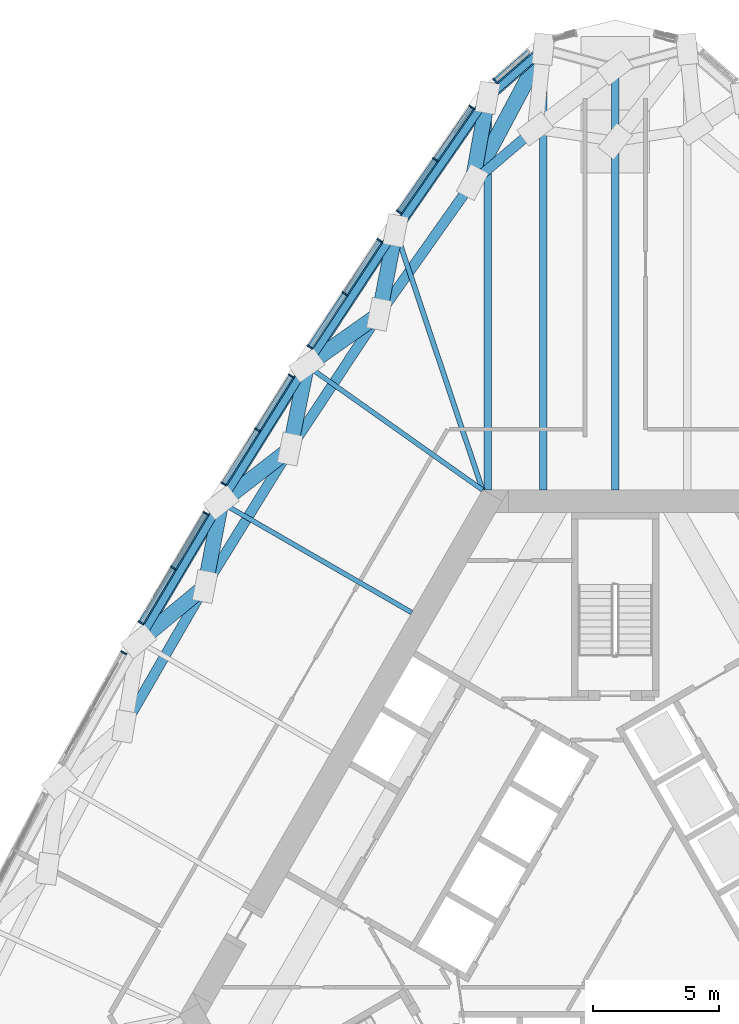
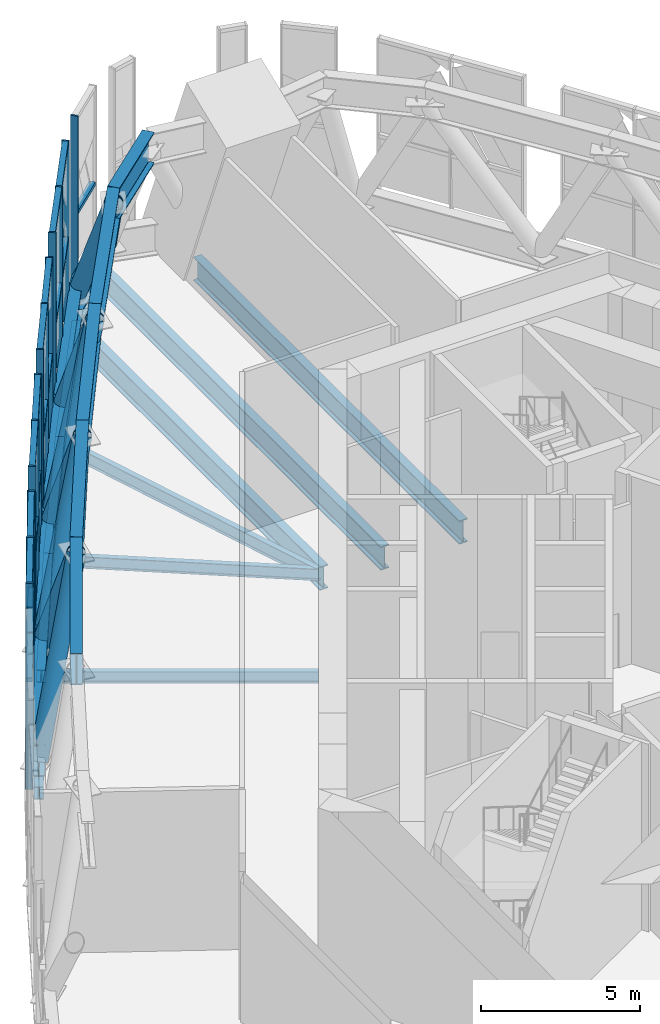
# One storey, part 8 of 33: 49 members, 11 beams, 2 elements without a shape of their own.
"""IFC4 building model written with IfcOpenShell, lengths in metres."""

from ifc_helpers import new_model, si_unit, direction, frame, origin, origin_2d, place, context, subcontext, project, spatial, rectangle, hollow_circle, i_section, extrude, material, material_profile, profile_set, type_object, element, aggregate, save


model = new_model("IFC4")

# Units and contexts
model_context = context("Model", 3, precision=1e-05, world=origin(), true_north=direction((0.0, 1.0)))
body_context = subcontext(model_context, "Body", "Model", "MODEL_VIEW")
ifc_project = project(units=[si_unit("LENGTHUNIT", "METRE"), si_unit("AREAUNIT", "SQUARE_METRE"), si_unit("VOLUMEUNIT", "CUBIC_METRE"), si_unit("PLANEANGLEUNIT", "RADIAN"), si_unit("MASSUNIT", "GRAM", prefix="KILO")], contexts=[model_context])

# Site, building, storey
site_placement = place(None, origin())
site = spatial("IfcSite", under=ifc_project, at=site_placement, CompositionType="ELEMENT")
building_placement = place(site_placement, origin())
building = spatial("IfcBuilding", under=site, at=building_placement, Name="Mestral Congress Tower", CompositionType="ELEMENT")
storey_placement = place(building_placement, frame((0.0, 0.0, 134.39990234375)))
storey = spatial("IfcBuildingStorey", under=building, at=storey_placement, Name="L32", CompositionType="ELEMENT", Elevation=134.39990234375)

# Members
ifc_material_1 = material(Name="Steel S355", Category="steel")
ifc_material_profile_1 = material_profile(ifc_material_1, i_section(OverallWidth=0.39990234375, OverallDepth=1.199951171875, WebThickness=0.02001953125, FlangeThickness=0.0400390625, FilletRadius=0.010009765625, at=origin_2d()), Name="WPG 1200")
ifc_profile_set_1 = profile_set([ifc_material_profile_1], Name="Steel S355")
member_type_1 = type_object("IfcMemberType", Name="Belt chord WPG 1200 S355", PredefinedType="CHORD", material=ifc_profile_set_1)
member_1_placement = place(storey_placement, frame((-2.845703125, 34.35693359375, 0.60009765625), z_axis=(-0.754932095534, -0.6558029667, 0.0), x_axis=(0.6558029667, -0.754932095534, 0.0)))
element("IfcMember", 1, at=member_1_placement, inside=storey, type_object=member_type_1, Name="MB-L32-BC2-N3", PredefinedType="CHORD", context=body_context, shape_type="SweptSolid", body=[
    extrude(i_section(OverallWidth=0.39990234375, OverallDepth=1.199951171875, WebThickness=0.02001953125, FlangeThickness=0.0400390625, FilletRadius=0.010009765625, at=origin_2d()), origin(), (0.0, 0.0, 1.0), 2.92822265625),
])
for number, where, z_axis, x_axis, name in (
    (2, (-5.056396484375, 32.4365234375, 0.60009765625), (-0.569132611813, -0.822245748041, 0.0), (0.822245748041, -0.569132611813, 0.0), "MB-L32-BC2-W00"),
    (3, (-8.69873046875, 27.17431640625, 0.60009765625), (-0.549751718, -0.835328108324, 0.0), (0.835328108324, -0.549751718, 0.0), "MB-L32-BC2-W01"),
    (4, (-12.217041015625, 21.828369140625, 0.60009765625), (-0.530067519081, -0.847955438225, 0.0), (0.847955438225, -0.530067519081, 0.0), "MB-L32-BC2-W02"),
    (5, (-15.609375, 16.401611328125, 0.60009765625), (-0.510062734342, -0.860137202448, 0.0), (0.860137202448, -0.510062734342, 0.0), "MB-L32-BC2-W03"),
):
    element("IfcMember", number, at=place(storey_placement, frame(where, z_axis=z_axis, x_axis=x_axis)), inside=storey, type_object=member_type_1, Name=name, PredefinedType="CHORD", context=body_context, shape_type="SweptSolid", body=[
        extrude(i_section(OverallWidth=0.39990234375, OverallDepth=1.199951171875, WebThickness=0.02001953125, FlangeThickness=0.0400390625, FilletRadius=0.010009765625, at=origin_2d()), origin(), (0.0, 0.0, 1.0), 6.39990234375),
    ])
member_2_placement = place(storey_placement, frame((-3.17138671875, 31.194580078125, 6.35009765625), z_axis=(-0.761440312553, -0.648235027147, 0.0), x_axis=(0.648235027147, -0.761440312553, 0.0)))
element("IfcMember", 6, at=member_2_placement, inside=storey, type_object=member_type_1, Name="MB-L32-TC2-N3", PredefinedType="CHORD", context=body_context, shape_type="SweptSolid", body=[
    extrude(i_section(OverallWidth=0.39990234375, OverallDepth=1.199951171875, WebThickness=0.02001953125, FlangeThickness=0.0400390625, FilletRadius=0.010009765625, at=origin_2d()), origin(), (0.0, 0.0, 1.0), 3.2607421875),
])
for number, where, z_axis, x_axis, name in (
    (7, (-5.654296875, 29.080810546875, 6.35009765625), (-0.577102484984, -0.816671734435, 0.0), (0.816671734435, -0.577102484984, 0.0), "MB-L32-TC2-W00"),
    (8, (-9.34765625, 23.854248046875, 6.35009765625), (-0.551915276836, -0.833900190188, 0.0), (0.833900190188, -0.551915276836, 0.0), "MB-L32-TC2-W01"),
):
    element("IfcMember", number, at=place(storey_placement, frame(where, z_axis=z_axis, x_axis=x_axis)), inside=storey, type_object=member_type_1, Name=name, PredefinedType="CHORD", context=body_context, shape_type="SweptSolid", body=[
        extrude(i_section(OverallWidth=0.39990234375, OverallDepth=1.199951171875, WebThickness=0.02001953125, FlangeThickness=0.0400390625, FilletRadius=0.010009765625, at=origin_2d()), origin(), (0.0, 0.0, 1.0), 6.39990234375),
    ])
for number, where, z_axis, x_axis, name in (
    (9, (-12.8798828125, 18.517333984375, 6.35009765625), (-0.52618387331, -0.850370819977, 0.0), (0.850370819977, -0.52618387331, 0.0), "MB-L32-TC2-W02"),
    (10, (-16.247314453125, 13.0751953125, 6.35009765625), (-0.500016352561, -0.866015962423, 0.0), (0.866015962423, -0.500016352561, 0.0), "MB-L32-TC2-W03"),
):
    element("IfcMember", number, at=place(storey_placement, frame(where, z_axis=z_axis, x_axis=x_axis)), inside=storey, type_object=member_type_1, Name=name, PredefinedType="CHORD", context=body_context, shape_type="SweptSolid", body=[
        extrude(i_section(OverallWidth=0.39990234375, OverallDepth=1.199951171875, WebThickness=0.02001953125, FlangeThickness=0.0400390625, FilletRadius=0.010009765625, at=origin_2d()), origin(), (0.0, 0.0, 1.0), 6.399658203125),
    ])
ifc_material_profile_2 = material_profile(ifc_material_1, hollow_circle(Radius=0.304931640625, WallThickness=0.02490234375, at=origin_2d()), Name="CHS 610x25")
ifc_profile_set_2 = profile_set([ifc_material_profile_2], Name="Steel S355")
member_type_2 = type_object("IfcMemberType", Name="Belt diagonal CHS 610x25 S355", PredefinedType="BRACE", material=ifc_profile_set_2)
member_3_placement = place(storey_placement, frame((-2.845703125, 34.35693359375, 0.60009765625), z_axis=(-0.338635151078, -0.636147796414, 0.69328364727), x_axis=(0.882723532152, -0.469892717314, 0.0)))
element("IfcMember", 11, at=member_3_placement, inside=storey, type_object=member_type_2, Name="MD-L32-BD2-N3.W00", PredefinedType="BRACE", context=body_context, shape_type="SweptSolid", body=[
    extrude(hollow_circle(Radius=0.304931640625, WallThickness=0.02490234375, at=origin_2d()), origin(), (0.0, 0.0, 1.0), 8.2939453125),
])
member_4_placement = place(storey_placement, frame((-5.056396484375, 32.4365234375, 0.60009765625), z_axis=(-0.0894475391, -0.502023856645, 0.860215778225), x_axis=(0.984495232552, -0.175411336815, 0.0)))
element("IfcMember", 12, at=member_4_placement, inside=storey, type_object=member_type_2, Name="MD-L32-BD2-W00.W00", PredefinedType="BRACE", context=body_context, shape_type="SweptSolid", body=[
    extrude(hollow_circle(Radius=0.304931640625, WallThickness=0.02490234375, at=origin_2d()), origin(), (0.0, 0.0, 1.0), 6.684326171875),
])
member_5_placement = place(storey_placement, frame((-8.69873046875, 27.17431640625, 0.60009765625), z_axis=(-0.097271028832, -0.497663175726, 0.861898898059), x_axis=(0.981429001079, -0.191825743427, 0.0)))
element("IfcMember", 13, at=member_5_placement, inside=storey, type_object=member_type_2, Name="MD-L32-BD2-W01.W01", PredefinedType="BRACE", context=body_context, shape_type="SweptSolid", body=[
    extrude(hollow_circle(Radius=0.304931640625, WallThickness=0.02490234375, at=origin_2d()), origin(), (0.0, 0.0, 1.0), 6.67138671875),
])
member_6_placement = place(storey_placement, frame((-12.217041015625, 21.828369140625, 0.60009765625), z_axis=(0.425853873776, 0.300666676133, 0.853374494611), x_axis=(-0.576765061499, 0.816910070836, 0.0)))
element("IfcMember", 14, at=member_6_placement, inside=storey, type_object=member_type_2, Name="MD-L32-BD2-W02.W01", PredefinedType="BRACE", context=body_context, shape_type="SweptSolid", body=[
    extrude(hollow_circle(Radius=0.304931640625, WallThickness=0.02490234375, at=origin_2d()), origin(), (0.0, 0.0, 1.0), 6.738037109375),
])
member_7_placement = place(storey_placement, frame((-12.217041015625, 21.828369140625, 0.60009765625), z_axis=(-0.099403494143, -0.496541505547, 0.862302428746), x_axis=(0.980544508593, -0.196296884002, 0.0)))
element("IfcMember", 15, at=member_7_placement, inside=storey, type_object=member_type_2, Name="MD-L32-BD2-W02.W02", PredefinedType="BRACE", context=body_context, shape_type="SweptSolid", body=[
    extrude(hollow_circle(Radius=0.304931640625, WallThickness=0.02490234375, at=origin_2d()), origin(), (0.0, 0.0, 1.0), 6.668212890625),
])
member_8_placement = place(storey_placement, frame((-15.609375, 16.401611328125, 0.60009765625), z_axis=(0.406938818864, 0.315432182851, 0.857265032369), x_axis=(-0.612637913431, 0.790363705535, 0.0)))
element("IfcMember", 16, at=member_8_placement, inside=storey, type_object=member_type_2, Name="MD-L32-BD2-W03.W02", PredefinedType="BRACE", context=body_context, shape_type="SweptSolid", body=[
    extrude(hollow_circle(Radius=0.304931640625, WallThickness=0.02490234375, at=origin_2d()), origin(), (0.0, 0.0, 1.0), 6.707275390625),
])
member_9_placement = place(storey_placement, frame((-15.609375, 16.401611328125, 0.60009765625), z_axis=(-0.095594107182, -0.498457600595, 0.86162740618), x_axis=(0.982102461883, -0.188347429938, 0.0)))
element("IfcMember", 17, at=member_9_placement, inside=storey, type_object=member_type_2, Name="MD-L32-BD2-W03.W03", PredefinedType="BRACE", context=body_context, shape_type="SweptSolid", body=[
    extrude(hollow_circle(Radius=0.304931640625, WallThickness=0.02490234375, at=origin_2d()), origin(), (0.0, 0.0, 1.0), 6.67333984375),
])
member_10_placement = place(storey_placement, frame((-18.873779296875, 10.896728515625, 0.60009765625), z_axis=(0.392813211233, 0.325810771875, 0.859968093601), x_axis=(-0.638409279387, 0.769697078072, 0.0)))
element("IfcMember", 18, at=member_10_placement, inside=storey, type_object=member_type_2, Name="MD-L32-BD2-W04.W03", PredefinedType="BRACE", context=body_context, shape_type="SweptSolid", body=[
    extrude(hollow_circle(Radius=0.304931640625, WallThickness=0.02490234375, at=origin_2d()), origin(), (0.0, 0.0, 1.0), 6.686279296875),
])

# Curtain wall, members
ifc_material_2 = material(Name="Clear low-emissivity double glazing", Category="glass")
curtain_wall_type = type_object("IfcCurtainWallType", Name="Facade sky lobby curtain wall", PredefinedType="USERDEFINED", material=ifc_material_2)
placement = place(storey_placement, origin())
curtain_wall_1 = element("IfcCurtainWall", 19, at=placement, inside=storey, type_object=curtain_wall_type, Name="Facade sky lobby curtain wall face 3", ObjectType="CURTAIN WALL", PredefinedType="USERDEFINED")
ifc_material_3 = material(Name="Anodised aluminium", Category="aluminium")
ifc_material_profile_3 = material_profile(ifc_material_3, rectangle(XDim=0.25, YDim=0.06005859375, at=origin_2d()), Name="CW1 mullion 250 x 60")
ifc_profile_set_3 = profile_set([ifc_material_profile_3], Name="Anodised aluminium")
member_type_3 = type_object("IfcMemberType", Name="Facade sky lobby curtain wall mullion", PredefinedType="MULLION", material=ifc_profile_set_3)
member_11_placement = place(storey_placement, frame((-5.686279296875, 32.053466796875, 0.0), z_axis=(0.0, 0.0, 1.0), x_axis=(-0.822242393198, 0.569137458641, 0.0)))
member_11 = element("IfcMember", 20, at=member_11_placement, type_object=member_type_3, Name="Facade sky lobby curtain wall mullion", PredefinedType="MULLION", context=body_context, shape_type="SweptSolid", body=[
    extrude(rectangle(XDim=0.25, YDim=0.06005859375, at=origin_2d()), origin(), (0.0, 0.0, 1.0), 6.9501953125),
])
member_12_placement = place(storey_placement, frame((-7.122314453125, 29.978759765625, 0.0), z_axis=(0.0, 0.0, 1.0), x_axis=(-0.822242393198, 0.569137458641, 0.0)))
member_12 = element("IfcMember", 21, at=member_12_placement, type_object=member_type_3, Name="Facade sky lobby curtain wall mullion", PredefinedType="MULLION", context=body_context, shape_type="SweptSolid", body=[
    extrude(rectangle(XDim=0.25, YDim=0.06005859375, at=origin_2d()), origin(), (0.0, 0.0, 1.0), 6.9501953125),
])
member_13_placement = place(storey_placement, frame((-8.55859375, 27.90380859375, 0.0), z_axis=(0.0, 0.0, 1.0), x_axis=(-0.822242393198, 0.569137458641, 0.0)))
member_13 = element("IfcMember", 22, at=member_13_placement, type_object=member_type_3, Name="Facade sky lobby curtain wall mullion", PredefinedType="MULLION", context=body_context, shape_type="SweptSolid", body=[
    extrude(rectangle(XDim=0.25, YDim=0.06005859375, at=origin_2d()), origin(), (0.0, 0.0, 1.0), 6.9501953125),
])
member_14_placement = place(storey_placement, frame((-9.322998046875, 26.771240234375, 0.0), z_axis=(0.0, 0.0, 1.0), x_axis=(-0.835326011384, 0.549754904213, 0.0)))
member_14 = element("IfcMember", 23, at=member_14_placement, type_object=member_type_3, Name="Facade sky lobby curtain wall mullion", PredefinedType="MULLION", context=body_context, shape_type="SweptSolid", body=[
    extrude(rectangle(XDim=0.25, YDim=0.06005859375, at=origin_2d()), origin(), (0.0, 0.0, 1.0), 6.9501953125),
])
member_15_placement = place(storey_placement, frame((-10.70849609375, 24.666259765625, 0.0), z_axis=(0.0, 0.0, 1.0), x_axis=(-0.835326011384, 0.549754904213, 0.0)))
member_15 = element("IfcMember", 24, at=member_15_placement, type_object=member_type_3, Name="Facade sky lobby curtain wall mullion", PredefinedType="MULLION", context=body_context, shape_type="SweptSolid", body=[
    extrude(rectangle(XDim=0.25, YDim=0.06005859375, at=origin_2d()), origin(), (0.0, 0.0, 1.0), 6.9501953125),
])
member_16_placement = place(storey_placement, frame((-12.093994140625, 22.56103515625, 0.0), z_axis=(0.0, 0.0, 1.0), x_axis=(-0.835326011384, 0.549754904213, 0.0)))
member_16 = element("IfcMember", 25, at=member_16_placement, type_object=member_type_3, Name="Facade sky lobby curtain wall mullion", PredefinedType="MULLION", context=body_context, shape_type="SweptSolid", body=[
    extrude(rectangle(XDim=0.25, YDim=0.06005859375, at=origin_2d()), origin(), (0.0, 0.0, 1.0), 6.9501953125),
])
member_17_placement = place(storey_placement, frame((-12.831787109375, 21.410888671875, 0.0), z_axis=(0.0, 0.0, 1.0), x_axis=(-0.847961145686, 0.530058388677, 0.0)))
member_17 = element("IfcMember", 26, at=member_17_placement, type_object=member_type_3, Name="Facade sky lobby curtain wall mullion", PredefinedType="MULLION", context=body_context, shape_type="SweptSolid", body=[
    extrude(rectangle(XDim=0.25, YDim=0.06005859375, at=origin_2d()), origin(), (0.0, 0.0, 1.0), 6.9501953125),
])
member_18_placement = place(storey_placement, frame((-14.16748046875, 19.27392578125, 0.0), z_axis=(0.0, 0.0, 1.0), x_axis=(-0.847961145686, 0.530058388677, 0.0)))
member_18 = element("IfcMember", 27, at=member_18_placement, type_object=member_type_3, Name="Facade sky lobby curtain wall mullion", PredefinedType="MULLION", context=body_context, shape_type="SweptSolid", body=[
    extrude(rectangle(XDim=0.25, YDim=0.06005859375, at=origin_2d()), origin(), (0.0, 0.0, 1.0), 6.9501953125),
])
member_19_placement = place(storey_placement, frame((-15.50341796875, 17.13671875, 0.0), z_axis=(0.0, 0.0, 1.0), x_axis=(-0.847961145686, 0.530058388677, 0.0)))
member_19 = element("IfcMember", 28, at=member_19_placement, type_object=member_type_3, Name="Facade sky lobby curtain wall mullion", PredefinedType="MULLION", context=body_context, shape_type="SweptSolid", body=[
    extrude(rectangle(XDim=0.25, YDim=0.06005859375, at=origin_2d()), origin(), (0.0, 0.0, 1.0), 6.9501953125),
])
member_20_placement = place(storey_placement, frame((-16.214111328125, 15.9697265625, 0.0), z_axis=(0.0, 0.0, 1.0), x_axis=(-0.860118583084, 0.510094131542, 0.0)))
member_20 = element("IfcMember", 29, at=member_20_placement, type_object=member_type_3, Name="Facade sky lobby curtain wall mullion", PredefinedType="MULLION", context=body_context, shape_type="SweptSolid", body=[
    extrude(rectangle(XDim=0.25, YDim=0.06005859375, at=origin_2d()), origin(), (0.0, 0.0, 1.0), 6.9501953125),
])
member_21_placement = place(storey_placement, frame((-17.49951171875, 13.802001953125, 0.0), z_axis=(0.0, 0.0, 1.0), x_axis=(-0.860118583084, 0.510094131542, 0.0)))
member_21 = element("IfcMember", 30, at=member_21_placement, type_object=member_type_3, Name="Facade sky lobby curtain wall mullion", PredefinedType="MULLION", context=body_context, shape_type="SweptSolid", body=[
    extrude(rectangle(XDim=0.25, YDim=0.06005859375, at=origin_2d()), origin(), (0.0, 0.0, 1.0), 6.9501953125),
])
member_22_placement = place(storey_placement, frame((-18.78515625, 11.634521484375, 0.0), z_axis=(0.0, 0.0, 1.0), x_axis=(-0.860118583084, 0.510094131542, 0.0)))
member_22 = element("IfcMember", 31, at=member_22_placement, type_object=member_type_3, Name="Facade sky lobby curtain wall mullion", PredefinedType="MULLION", context=body_context, shape_type="SweptSolid", body=[
    extrude(rectangle(XDim=0.25, YDim=0.06005859375, at=origin_2d()), origin(), (0.0, 0.0, 1.0), 6.9501953125),
])
member_23_placement = place(storey_placement, frame((-19.468505859375, 10.451171875, 0.0), z_axis=(0.0, 0.0, 1.0), x_axis=(-0.871814622705, 0.489835955844, 0.0)))
member_23 = element("IfcMember", 32, at=member_23_placement, type_object=member_type_3, Name="Facade sky lobby curtain wall mullion", PredefinedType="MULLION", context=body_context, shape_type="SweptSolid", body=[
    extrude(rectangle(XDim=0.25, YDim=0.06005859375, at=origin_2d()), origin(), (0.0, 0.0, 1.0), 6.9501953125),
])

# Curtain wall, member
curtain_wall_2 = element("IfcCurtainWall", 33, at=placement, inside=storey, type_object=curtain_wall_type, Name="Facade sky lobby curtain wall corner 2", ObjectType="CURTAIN WALL", PredefinedType="USERDEFINED")
member_24_placement = place(storey_placement, frame((-4.752197265625, 33.097900390625, 0.0), z_axis=(0.0, 0.0, 1.0), x_axis=(-0.655810039344, 0.754925951532, 0.0)))
member_24 = element("IfcMember", 34, at=member_24_placement, type_object=member_type_3, Name="Facade sky lobby curtain wall mullion", PredefinedType="MULLION", context=body_context, shape_type="SweptSolid", body=[
    extrude(rectangle(XDim=0.25, YDim=0.06005859375, at=origin_2d()), origin(), (0.0, 0.0, 1.0), 6.9501953125),
])

# Member
ifc_material_profile_4 = material_profile(ifc_material_3, rectangle(XDim=0.199951171875, YDim=0.139892578125, at=origin_2d()), Name="CW1 transom 200 x 140")
ifc_profile_set_4 = profile_set([ifc_material_profile_4], Name="Anodised aluminium")
member_type_4 = type_object("IfcMemberType", Name="Facade sky lobby curtain wall transom", PredefinedType="USERDEFINED", material=ifc_profile_set_4)
member_25_placement = place(storey_placement, frame((-5.703369140625, 32.02880859375, 3.2001953125), z_axis=(-0.56911720375, -0.822256412803, 0.0), x_axis=(0.822256412803, -0.56911720375, 0.0)))
member_25 = element("IfcMember", 35, at=member_25_placement, type_object=member_type_4, Name="Facade sky lobby curtain wall transom", ObjectType="TRANSOM", PredefinedType="USERDEFINED", context=body_context, shape_type="SweptSolid", body=[
    extrude(rectangle(XDim=0.199951171875, YDim=0.139892578125, at=origin_2d()), origin(), (0.0, 0.0, 1.0), 2.463134765625),
])

member_26_placement = place(storey_placement, frame((-5.703369140625, 32.02880859375, 6.880126953125), z_axis=(-0.56911720375, -0.822256412803, 0.0), x_axis=(0.822256412803, -0.56911720375, 0.0)))
member_26 = element("IfcMember", 36, at=member_26_placement, type_object=member_type_4, Name="Facade sky lobby curtain wall transom", ObjectType="TRANSOM", PredefinedType="USERDEFINED", context=body_context, shape_type="SweptSolid", body=[
    extrude(rectangle(XDim=0.199951171875, YDim=0.139892578125, at=origin_2d()), origin(), (0.0, 0.0, 1.0), 2.463134765625),
])

member_27_placement = place(storey_placement, frame((-7.139404296875, 29.9541015625, 3.2001953125), z_axis=(-0.569137831011, -0.822242135452, 0.0), x_axis=(0.822242135452, -0.569137831011, 0.0)))
member_27 = element("IfcMember", 37, at=member_27_placement, type_object=member_type_4, Name="Facade sky lobby curtain wall transom", ObjectType="TRANSOM", PredefinedType="USERDEFINED", context=body_context, shape_type="SweptSolid", body=[
    extrude(rectangle(XDim=0.199951171875, YDim=0.139892578125, at=origin_2d()), origin(), (0.0, 0.0, 1.0), 2.463623046875),
])

member_28_placement = place(storey_placement, frame((-7.139404296875, 29.9541015625, 6.880126953125), z_axis=(-0.569137831011, -0.822242135452, 0.0), x_axis=(0.822242135452, -0.569137831011, 0.0)))
member_28 = element("IfcMember", 38, at=member_28_placement, type_object=member_type_4, Name="Facade sky lobby curtain wall transom", ObjectType="TRANSOM", PredefinedType="USERDEFINED", context=body_context, shape_type="SweptSolid", body=[
    extrude(rectangle(XDim=0.199951171875, YDim=0.139892578125, at=origin_2d()), origin(), (0.0, 0.0, 1.0), 2.463623046875),
])

member_29_placement = place(storey_placement, frame((-9.339599609375, 26.746337890625, 3.2001953125), z_axis=(-0.549674824172, -0.835378709132, 0.0), x_axis=(0.835378709132, -0.549674824172, 0.0)))
member_29 = element("IfcMember", 39, at=member_29_placement, type_object=member_type_4, Name="Facade sky lobby curtain wall transom", ObjectType="TRANSOM", PredefinedType="USERDEFINED", context=body_context, shape_type="SweptSolid", body=[
    extrude(rectangle(XDim=0.199951171875, YDim=0.139892578125, at=origin_2d()), origin(), (0.0, 0.0, 1.0), 2.460205078125),
])

member_30_placement = place(storey_placement, frame((-9.339599609375, 26.746337890625, 6.880126953125), z_axis=(-0.549674824172, -0.835378709132, 0.0), x_axis=(0.835378709132, -0.549674824172, 0.0)))
member_30 = element("IfcMember", 40, at=member_30_placement, type_object=member_type_4, Name="Facade sky lobby curtain wall transom", ObjectType="TRANSOM", PredefinedType="USERDEFINED", context=body_context, shape_type="SweptSolid", body=[
    extrude(rectangle(XDim=0.199951171875, YDim=0.139892578125, at=origin_2d()), origin(), (0.0, 0.0, 1.0), 2.460205078125),
])

member_31_placement = place(storey_placement, frame((-10.724853515625, 24.64111328125, 3.2001953125), z_axis=(-0.549789644059, -0.835303146939, 0.0), x_axis=(0.835303146939, -0.549789644059, 0.0)))
member_31 = element("IfcMember", 41, at=member_31_placement, type_object=member_type_4, Name="Facade sky lobby curtain wall transom", ObjectType="TRANSOM", PredefinedType="USERDEFINED", context=body_context, shape_type="SweptSolid", body=[
    extrude(rectangle(XDim=0.199951171875, YDim=0.139892578125, at=origin_2d()), origin(), (0.0, 0.0, 1.0), 2.460205078125),
])

member_32_placement = place(storey_placement, frame((-10.724853515625, 24.64111328125, 6.880126953125), z_axis=(-0.549789644059, -0.835303146939, 0.0), x_axis=(0.835303146939, -0.549789644059, 0.0)))
member_32 = element("IfcMember", 42, at=member_32_placement, type_object=member_type_4, Name="Facade sky lobby curtain wall transom", ObjectType="TRANSOM", PredefinedType="USERDEFINED", context=body_context, shape_type="SweptSolid", body=[
    extrude(rectangle(XDim=0.199951171875, YDim=0.139892578125, at=origin_2d()), origin(), (0.0, 0.0, 1.0), 2.460205078125),
])

member_33_placement = place(storey_placement, frame((-12.84765625, 21.385498046875, 3.2001953125), z_axis=(-0.530025700323, -0.847981578218, 0.0), x_axis=(0.847981578218, -0.530025700323, 0.0)))
member_33 = element("IfcMember", 43, at=member_33_placement, type_object=member_type_4, Name="Facade sky lobby curtain wall transom", ObjectType="TRANSOM", PredefinedType="USERDEFINED", context=body_context, shape_type="SweptSolid", body=[
    extrude(rectangle(XDim=0.199951171875, YDim=0.139892578125, at=origin_2d()), origin(), (0.0, 0.0, 1.0), 2.460205078125),
])

member_34_placement = place(storey_placement, frame((-12.84765625, 21.385498046875, 6.880126953125), z_axis=(-0.530025700323, -0.847981578218, 0.0), x_axis=(0.847981578218, -0.530025700323, 0.0)))
member_34 = element("IfcMember", 44, at=member_34_placement, type_object=member_type_4, Name="Facade sky lobby curtain wall transom", ObjectType="TRANSOM", PredefinedType="USERDEFINED", context=body_context, shape_type="SweptSolid", body=[
    extrude(rectangle(XDim=0.199951171875, YDim=0.139892578125, at=origin_2d()), origin(), (0.0, 0.0, 1.0), 2.460205078125),
])

member_35_placement = place(storey_placement, frame((-14.18359375, 19.24853515625, 3.2001953125), z_axis=(-0.530025700323, -0.847981578218, 0.0), x_axis=(0.847981578218, -0.530025700323, 0.0)))
member_35 = element("IfcMember", 45, at=member_35_placement, type_object=member_type_4, Name="Facade sky lobby curtain wall transom", ObjectType="TRANSOM", PredefinedType="USERDEFINED", context=body_context, shape_type="SweptSolid", body=[
    extrude(rectangle(XDim=0.199951171875, YDim=0.139892578125, at=origin_2d()), origin(), (0.0, 0.0, 1.0), 2.460205078125),
])

member_36_placement = place(storey_placement, frame((-14.18359375, 19.24853515625, 6.880126953125), z_axis=(-0.530025700323, -0.847981578218, 0.0), x_axis=(0.847981578218, -0.530025700323, 0.0)))
member_36 = element("IfcMember", 46, at=member_36_placement, type_object=member_type_4, Name="Facade sky lobby curtain wall transom", ObjectType="TRANSOM", PredefinedType="USERDEFINED", context=body_context, shape_type="SweptSolid", body=[
    extrude(rectangle(XDim=0.199951171875, YDim=0.139892578125, at=origin_2d()), origin(), (0.0, 0.0, 1.0), 2.460205078125),
])

member_37_placement = place(storey_placement, frame((-16.2294921875, 15.944091796875, 3.2001953125), z_axis=(-0.510052614777, -0.860143203286, 0.0), x_axis=(0.860143203286, -0.510052614777, 0.0)))
member_37 = element("IfcMember", 47, at=member_37_placement, type_object=member_type_4, Name="Facade sky lobby curtain wall transom", ObjectType="TRANSOM", PredefinedType="USERDEFINED", context=body_context, shape_type="SweptSolid", body=[
    extrude(rectangle(XDim=0.199951171875, YDim=0.139892578125, at=origin_2d()), origin(), (0.0, 0.0, 1.0), 2.460205078125),
])

member_38_placement = place(storey_placement, frame((-16.2294921875, 15.944091796875, 6.880126953125), z_axis=(-0.510052614777, -0.860143203286, 0.0), x_axis=(0.860143203286, -0.510052614777, 0.0)))
member_38 = element("IfcMember", 48, at=member_38_placement, type_object=member_type_4, Name="Facade sky lobby curtain wall transom", ObjectType="TRANSOM", PredefinedType="USERDEFINED", context=body_context, shape_type="SweptSolid", body=[
    extrude(rectangle(XDim=0.199951171875, YDim=0.139892578125, at=origin_2d()), origin(), (0.0, 0.0, 1.0), 2.460205078125),
])

member_39_placement = place(storey_placement, frame((-17.514892578125, 13.7763671875, 3.2001953125), z_axis=(-0.510169565479, -0.860073842445, 0.0), x_axis=(0.860073842445, -0.510169565479, 0.0)))
member_39 = element("IfcMember", 49, at=member_39_placement, type_object=member_type_4, Name="Facade sky lobby curtain wall transom", ObjectType="TRANSOM", PredefinedType="USERDEFINED", context=body_context, shape_type="SweptSolid", body=[
    extrude(rectangle(XDim=0.199951171875, YDim=0.139892578125, at=origin_2d()), origin(), (0.0, 0.0, 1.0), 2.460205078125),
])

member_40_placement = place(storey_placement, frame((-17.514892578125, 13.7763671875, 6.880126953125), z_axis=(-0.510169565479, -0.860073842445, 0.0), x_axis=(0.860073842445, -0.510169565479, 0.0)))
member_40 = element("IfcMember", 50, at=member_40_placement, type_object=member_type_4, Name="Facade sky lobby curtain wall transom", ObjectType="TRANSOM", PredefinedType="USERDEFINED", context=body_context, shape_type="SweptSolid", body=[
    extrude(rectangle(XDim=0.199951171875, YDim=0.139892578125, at=origin_2d()), origin(), (0.0, 0.0, 1.0), 2.460205078125),
])

aggregate(curtain_wall_1, [member_11, member_12, member_13, member_25, member_26, member_27, member_28, member_14, member_15, member_16, member_29, member_30, member_31, member_32, member_17, member_18, member_19, member_33, member_34, member_35, member_36, member_20, member_21, member_22, member_37, member_38, member_39, member_40, member_23])

member_41_placement = place(storey_placement, frame((-3.44677734375, 34.232177734375, 3.2001953125), z_axis=(-0.754868375989, -0.655876310695, 0.0), x_axis=(0.655876310695, -0.754868375989, 0.0)))
member_41 = element("IfcMember", 51, at=member_41_placement, type_object=member_type_4, Name="Facade sky lobby curtain wall transom", ObjectType="TRANSOM", PredefinedType="USERDEFINED", context=body_context, shape_type="SweptSolid", body=[
    extrude(rectangle(XDim=0.199951171875, YDim=0.139892578125, at=origin_2d()), origin(), (0.0, 0.0, 1.0), 1.69921875),
])

aggregate(curtain_wall_2, [member_24, member_41])

# Beams
ifc_material_profile_5 = material_profile(ifc_material_1, i_section(OverallWidth=0.300048828125, OverallDepth=0.89990234375, WebThickness=0.0185546875, FlangeThickness=0.034912109375, FilletRadius=0.030029296875, at=origin_2d()), Name="HEB 900")
ifc_profile_set_5 = profile_set([ifc_material_profile_5], Name="Steel S355")
beam_type_1 = type_object("IfcBeamType", Name="Floor beam HEB 900 S355", PredefinedType="BEAM", material=ifc_profile_set_5)
beam_1_placement = place(storey_placement, frame((0.0, 33.598388671875, -0.849853515625), z_axis=(0.0, -1.0, 0.0), x_axis=(1.0, 0.0, 0.0)))
element("IfcBeam", 52, at=beam_1_placement, inside=storey, type_object=beam_type_1, Name="BM-L32-RB2-N", PredefinedType="BEAM", context=body_context, shape_type="SweptSolid", body=[
    extrude(i_section(OverallWidth=0.300048828125, OverallDepth=0.89990234375, WebThickness=0.0185546875, FlangeThickness=0.034912109375, FilletRadius=0.030029296875, at=origin_2d()), origin(), (0.0, 0.0, 1.0), 16.698486328125),
])
beam_2_placement = place(storey_placement, frame((-2.845703125, 34.35693359375, -0.849853515625), z_axis=(0.0, -1.0, 0.0), x_axis=(1.0, 0.0, 0.0)))
element("IfcBeam", 53, at=beam_2_placement, inside=storey, type_object=beam_type_1, Name="BM-L32-RB2-N3", PredefinedType="BEAM", context=body_context, shape_type="SweptSolid", body=[
    extrude(i_section(OverallWidth=0.300048828125, OverallDepth=0.89990234375, WebThickness=0.0185546875, FlangeThickness=0.034912109375, FilletRadius=0.030029296875, at=origin_2d()), origin(), (0.0, 0.0, 1.0), 17.45703125),
])
beam_3_placement = place(storey_placement, frame((-5.056396484375, 32.4365234375, -0.849853515625), z_axis=(0.0, -1.0, 0.0), x_axis=(1.0, 0.0, 0.0)))
element("IfcBeam", 54, at=beam_3_placement, inside=storey, type_object=beam_type_1, Name="BM-L32-RB2-W00", PredefinedType="BEAM", context=body_context, shape_type="SweptSolid", body=[
    extrude(i_section(OverallWidth=0.300048828125, OverallDepth=0.89990234375, WebThickness=0.0185546875, FlangeThickness=0.034912109375, FilletRadius=0.030029296875, at=origin_2d()), origin(), (0.0, 0.0, 1.0), 15.53662109375),
])
ifc_material_profile_6 = material_profile(ifc_material_1, i_section(OverallWidth=0.18994140625, OverallDepth=0.449951171875, WebThickness=0.009521484375, FlangeThickness=0.0146484375, FilletRadius=0.02099609375, at=origin_2d()), Name="IPE 450")
ifc_profile_set_6 = profile_set([ifc_material_profile_6], Name="Steel S355")
beam_type_2 = type_object("IfcBeamType", Name="Floor beam IPE 450 S355", PredefinedType="BEAM", material=ifc_profile_set_6)
beam_4_placement = place(storey_placement, frame((-12.217041015625, 21.828369140625, -0.625), z_axis=(0.816231971472, -0.577724301676, 0.0), x_axis=(0.577724301676, 0.816231971472, 0.0)))
element("IfcBeam", 55, at=beam_4_placement, inside=storey, type_object=beam_type_2, Name="BM-L32-RB2-W02", PredefinedType="BEAM", context=body_context, shape_type="SweptSolid", body=[
    extrude(i_section(OverallWidth=0.18994140625, OverallDepth=0.449951171875, WebThickness=0.009521484375, FlangeThickness=0.0146484375, FilletRadius=0.02099609375, at=origin_2d()), origin(), (0.0, 0.0, 1.0), 8.53076171875),
])
beam_5_placement = place(storey_placement, frame((-15.609375, 16.401611328125, -0.625), z_axis=(0.866016784434, -0.500014928855, 0.0), x_axis=(0.500014928855, 0.866016784434, 0.0)))
element("IfcBeam", 56, at=beam_5_placement, inside=storey, type_object=beam_type_2, Name="BM-L32-RB2-W03", PredefinedType="BEAM", context=body_context, shape_type="SweptSolid", body=[
    extrude(i_section(OverallWidth=0.18994140625, OverallDepth=0.449951171875, WebThickness=0.009521484375, FlangeThickness=0.0146484375, FilletRadius=0.02099609375, at=origin_2d()), origin(), (0.0, 0.0, 1.0), 8.718994140625),
])
ifc_material_profile_7 = material_profile(ifc_material_1, i_section(OverallWidth=0.199951171875, OverallDepth=0.5, WebThickness=0.01025390625, FlangeThickness=0.01611328125, FilletRadius=0.02099609375, at=origin_2d()), Name="IPE 500")
ifc_profile_set_7 = profile_set([ifc_material_profile_7], Name="Steel S355")
beam_type_3 = type_object("IfcBeamType", Name="Floor beam IPE 500 S355", PredefinedType="BEAM", material=ifc_profile_set_7)
beam_6_placement = place(storey_placement, frame((-8.69873046875, 27.17431640625, -0.64990234375), z_axis=(0.317889950678, -0.948127617601, 0.0), x_axis=(0.948127617601, 0.317889950678, 0.0)))
element("IfcBeam", 57, at=beam_6_placement, inside=storey, type_object=beam_type_3, Name="BM-L32-RB2-W01", PredefinedType="BEAM", context=body_context, shape_type="SweptSolid", body=[
    extrude(i_section(OverallWidth=0.199951171875, OverallDepth=0.5, WebThickness=0.01025390625, FlangeThickness=0.01611328125, FilletRadius=0.02099609375, at=origin_2d()), origin(), (0.0, 0.0, 1.0), 10.83642578125),
])
ifc_material_profile_8 = material_profile(ifc_material_1, i_section(OverallWidth=0.300048828125, OverallDepth=0.489990234375, WebThickness=0.011962890625, FlangeThickness=0.02294921875, FilletRadius=0.027099609375, at=origin_2d()), Name="HEA 500")
ifc_profile_set_8 = profile_set([ifc_material_profile_8], Name="Steel S355")
beam_type_4 = type_object("IfcBeamType", Name="Spandrel beam HEA 500 S355", PredefinedType="BEAM", material=ifc_profile_set_8)
beam_7_placement = place(storey_placement, frame((-2.845703125, 34.35693359375, -0.64501953125), z_axis=(-0.754932095534, -0.6558029667, 0.0), x_axis=(0.6558029667, -0.754932095534, 0.0)))
element("IfcBeam", 58, at=beam_7_placement, inside=storey, type_object=beam_type_4, Name="SP-L32-SB2-N3", PredefinedType="BEAM", context=body_context, shape_type="SweptSolid", body=[
    extrude(i_section(OverallWidth=0.300048828125, OverallDepth=0.489990234375, WebThickness=0.011962890625, FlangeThickness=0.02294921875, FilletRadius=0.027099609375, at=origin_2d()), origin(), (0.0, 0.0, 1.0), 2.92822265625),
])
for number, where, z_axis, x_axis, name in (
    (59, (-5.056396484375, 32.4365234375, -0.64501953125), (-0.569132611813, -0.822245748041, 0.0), (0.822245748041, -0.569132611813, 0.0), "SP-L32-SB2-W00"),
    (60, (-8.69873046875, 27.17431640625, -0.64501953125), (-0.549751718, -0.835328108324, 0.0), (0.835328108324, -0.549751718, 0.0), "SP-L32-SB2-W01"),
    (61, (-12.217041015625, 21.828369140625, -0.64501953125), (-0.530067519081, -0.847955438225, 0.0), (0.847955438225, -0.530067519081, 0.0), "SP-L32-SB2-W02"),
    (62, (-15.609375, 16.401611328125, -0.64501953125), (-0.510062734342, -0.860137202448, 0.0), (0.860137202448, -0.510062734342, 0.0), "SP-L32-SB2-W03"),
):
    element("IfcBeam", number, at=place(storey_placement, frame(where, z_axis=z_axis, x_axis=x_axis)), inside=storey, type_object=beam_type_4, Name=name, PredefinedType="BEAM", context=body_context, shape_type="SweptSolid", body=[
        extrude(i_section(OverallWidth=0.300048828125, OverallDepth=0.489990234375, WebThickness=0.011962890625, FlangeThickness=0.02294921875, FilletRadius=0.027099609375, at=origin_2d()), origin(), (0.0, 0.0, 1.0), 6.39990234375),
    ])

save(model, "model.ifc")
